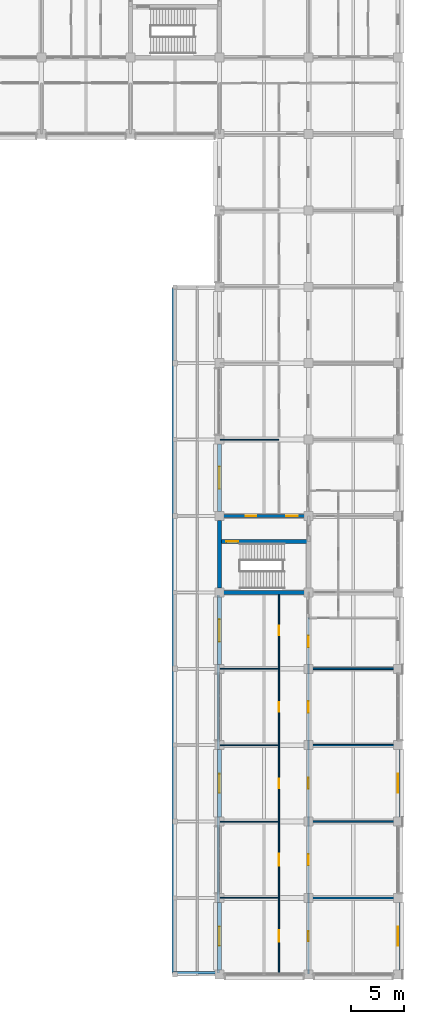
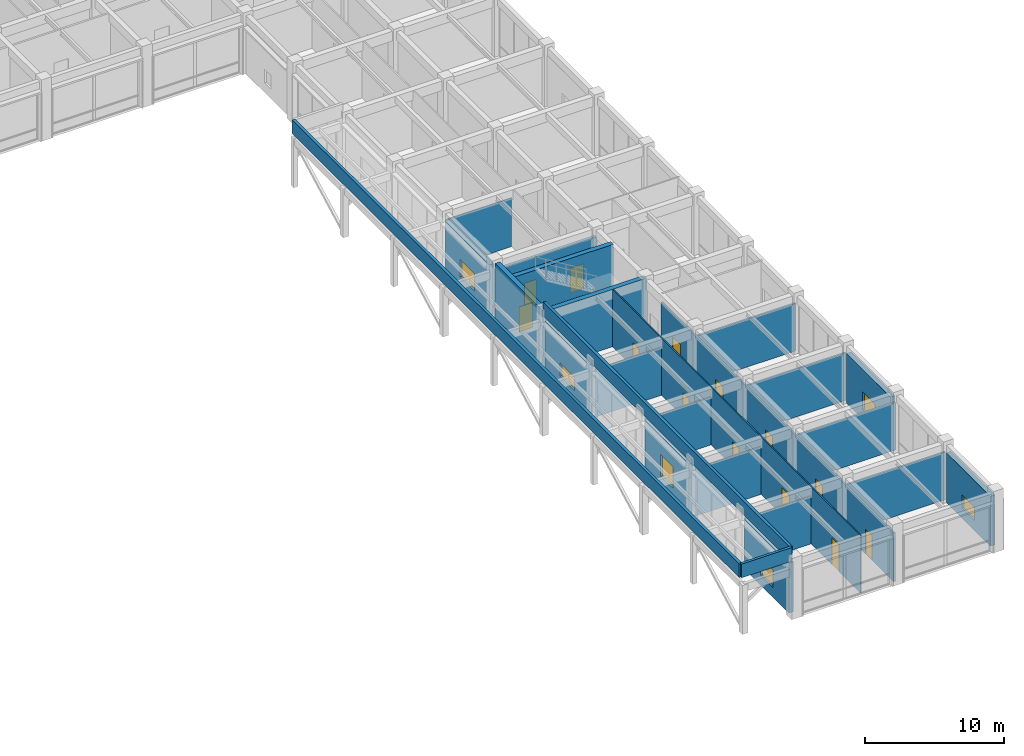
# One storey, part 54 of 68: 24 walls, 13 doors, 6 windows, 19 openings.
"""IFC4 building model written with IfcOpenShell, lengths in metres."""

import ifcopenshell
import ifcopenshell.guid

model = None  # the IFC model being written
_history = None  # IfcOwnerHistory: only IFC2X3 demands one
_inside = {}  # id of a spatial element -> (the spatial element, [elements in it])
_under = {}  # id of a project, library or spatial element -> (it, [spatial elements below it])
_declared = {}  # id of a project -> (the project, [libraries it declares])
_typed = {}  # id of a type object -> (the type object, [elements of that type])
_made_of = {}  # id of a material, layer set ... -> (it, [elements and type objects made of it])


def new_model(schema):
    """Start an empty IFC model of exactly this schema.

    Asked for "IFC4X3", IfcOpenShell would pick the latest addendum, in which some entities
    have other attributes; the version numbers below select the first issue.
    IFC2X3 requires an IfcOwnerHistory on every rooted entity: one is made here for all.
    """
    global model, _history
    if schema == "IFC4X3":
        model = ifcopenshell.file(schema_version=(4, 3, 0, 0))
    else:
        model = ifcopenshell.file(schema=schema)
    _inside.clear()
    _under.clear()
    _declared.clear()
    _typed.clear()
    _made_of.clear()
    _history = None
    if model.schema == "IFC2X3":
        org = make("IfcOrganization", Name="unknown")
        user = make(
            "IfcPersonAndOrganization",
            ThePerson=make("IfcPerson", FamilyName="unknown"),
            TheOrganization=org,
        )
        app = make(
            "IfcApplication",
            ApplicationDeveloper=org,
            Version="unknown",
            ApplicationFullName="unknown",
            ApplicationIdentifier="unknown",
        )
        _history = make(
            "IfcOwnerHistory",
            OwningUser=user,
            OwningApplication=app,
            ChangeAction="ADDED",
            CreationDate=0,
        )
    return model


def make(cls, **values):
    """One entity of the class cls with the attributes given. An attribute that is None is left unset."""
    return model.create_entity(
        cls, **{name: value for name, value in values.items() if value is not None}
    )


def rooted(cls, **values):
    """An entity with a GlobalId (a new one), such as an element, a storey or a relation."""
    return make(cls, GlobalId=ifcopenshell.guid.new(), OwnerHistory=_history, **values)


def si_unit(unit_type, name, prefix=None):
    """IfcSIUnit, for example si_unit("LENGTHUNIT", "METRE", prefix="MILLI")."""
    return make("IfcSIUnit", UnitType=unit_type, Prefix=prefix, Name=name)


def assignment(units):
    """IfcUnitAssignment: the units of a project."""
    return None if units is None else make("IfcUnitAssignment", Units=units)


def point(xyz):
    """IfcCartesianPoint."""
    return None if xyz is None else make("IfcCartesianPoint", Coordinates=xyz)


def direction(xyz):
    """IfcDirection."""
    return None if xyz is None else make("IfcDirection", DirectionRatios=xyz)


def frame(location, z_axis=None, x_axis=None):
    """IfcAxis2Placement3D, a coordinate frame: its origin and axes. An axis left out is left unset."""
    return make(
        "IfcAxis2Placement3D",
        Location=point(location),
        Axis=direction(z_axis),
        RefDirection=direction(x_axis),
    )


def frame_2d(location, x_axis=None):
    """IfcAxis2Placement2D, a coordinate frame in the plane: its origin and x axis."""
    return make(
        "IfcAxis2Placement2D", Location=point(location), RefDirection=direction(x_axis)
    )


def origin():
    """The frame at (0, 0, 0) with its axes left unset."""
    return frame((0.0, 0.0, 0.0))


def place(relative_to, where):
    """IfcLocalPlacement: puts the frame where relative to a parent placement (None: the world)."""
    return make(
        "IfcLocalPlacement", PlacementRelTo=relative_to, RelativePlacement=where
    )


def context(
    kind, dimensions, precision=None, world=None, true_north=None, identifier=None
):
    """IfcGeometricRepresentationContext, for example the 3D "Model" context."""
    return make(
        "IfcGeometricRepresentationContext",
        ContextIdentifier=identifier,
        ContextType=kind,
        CoordinateSpaceDimension=dimensions,
        Precision=precision,
        WorldCoordinateSystem=world,
        TrueNorth=true_north,
    )


def subcontext(parent, identifier, kind, view, scale=None):
    """IfcGeometricRepresentationSubContext, for example "Body" below "Model"."""
    return make(
        "IfcGeometricRepresentationSubContext",
        ContextIdentifier=identifier,
        ContextType=kind,
        ParentContext=parent,
        TargetScale=scale,
        TargetView=view,
    )


def project(units=None, contexts=None):
    """IfcProject with its units and contexts."""
    return rooted(
        "IfcProject",
        Name="project",
        RepresentationContexts=contexts,
        UnitsInContext=assignment(units),
    )


def spatial(cls, under=None, at=None, **own):
    """A site, building, storey or space (cls), placed at a placement, below another one or the project."""
    s = rooted(cls, ObjectPlacement=at, **own)
    if under is not None:
        _under.setdefault(under.id(), (under, []))[1].append(s)
    return s


def profile(cls, at=None, kind="AREA", **sizes):
    """A parametric profile (cls). Its sizes go by their IFC names, for example OverallWidth=200.0."""
    return make(cls, ProfileType=kind, Position=at, **sizes)


def rectangle(**sizes):
    """IfcRectangleProfileDef."""
    return profile("IfcRectangleProfileDef", **sizes)


def extrude(swept, where, along, depth):
    """IfcExtrudedAreaSolid: the profile swept, set in the frame where, extruded along a direction by depth."""
    return make(
        "IfcExtrudedAreaSolid",
        SweptArea=swept,
        Position=where,
        ExtrudedDirection=direction(along),
        Depth=depth,
    )


def shape(context_of_items, identifier, shape_type, items):
    """IfcShapeRepresentation: the items that make up one representation, for example the "Body"."""
    return make(
        "IfcShapeRepresentation",
        ContextOfItems=context_of_items,
        RepresentationIdentifier=identifier,
        RepresentationType=shape_type,
        Items=items,
    )


def material(Name=None, Category=None):
    """IfcMaterial."""
    return make("IfcMaterial", Name=Name, Category=Category)


def layer(
    of_material, thickness, ventilated=None, Name=None, Category=None, Priority=None
):
    """IfcMaterialLayer: one layer of a wall or slab, of a material (None: an air gap)."""
    return make(
        "IfcMaterialLayer",
        Material=of_material,
        LayerThickness=thickness,
        IsVentilated=ventilated,
        Name=Name,
        Category=Category,
        Priority=Priority,
    )


def layer_set(layers, Name=None):
    """IfcMaterialLayerSet."""
    return make("IfcMaterialLayerSet", MaterialLayers=layers, LayerSetName=Name)


def made_of(thing, what):
    """Note that an element or type object is made of a material, layer set ...; save() writes the relation."""
    if what is not None:
        _made_of.setdefault(what.id(), (what, []))[1].append(thing)
    return thing


def type_object(cls, material=None, **own):
    """A type object (cls), such as IfcWallType, which elements share."""
    return made_of(rooted(cls, **own), material)


def element(
    cls,
    number,
    at=None,
    inside=None,
    cuts=None,
    type_object=None,
    material=None,
    context=None,
    identifier="Body",
    shape_type=None,
    held_by="IfcProductDefinitionShape",
    body=None,
    shapes=None,
    **own,
):
    """One element of the class cls, such as IfcWall. Its Tag is "e" and its number.

    at: its placement. inside: the storey or other place that contains it. cuts: it is an
    opening in that element (IfcRelVoidsElement). A single representation is given by context,
    identifier, shape_type and body (its items); several are given by shapes. held_by: the class
    of the entity that holds the representations. save() writes the other relations.
    """
    e = rooted(cls, Tag="e%d" % number, ObjectPlacement=at, **own)
    if body is not None:
        shapes = [shape(context, identifier, shape_type, body)]
    if shapes is not None:
        e.Representation = make(held_by, Representations=shapes)
    if inside is not None:
        _inside.setdefault(inside.id(), (inside, []))[1].append(e)
    if cuts is not None:
        rooted(
            "IfcRelVoidsElement", RelatingBuildingElement=cuts, RelatedOpeningElement=e
        )
    if type_object is not None:
        _typed.setdefault(type_object.id(), (type_object, []))[1].append(e)
    return made_of(e, material)


def fill(opening, filler):
    """IfcRelFillsElement: the door or window that sits in an opening."""
    return rooted(
        "IfcRelFillsElement",
        RelatingOpeningElement=opening,
        RelatedBuildingElement=filler,
    )


def aggregate(whole, parts):
    """IfcRelAggregates: a whole, such as a stair, and the parts it consists of."""
    return rooted("IfcRelAggregates", RelatingObject=whole, RelatedObjects=parts)


def save(model, path):
    """Write the relations noted so far, then the file.

    IfcRelAggregates (storeys below a building ...), IfcRelContainedInSpatialStructure (elements
    in a storey), IfcRelDefinesByType, IfcRelAssociatesMaterial and IfcRelDeclares: one each for
    every whole, place, type object, material and project.
    """
    for whole, parts in _under.values():
        aggregate(whole, parts)
    for where, things in _inside.values():
        rooted(
            "IfcRelContainedInSpatialStructure",
            RelatedElements=things,
            RelatingStructure=where,
        )
    for kind, things in _typed.values():
        rooted("IfcRelDefinesByType", RelatedObjects=things, RelatingType=kind)
    for what, things in _made_of.values():
        rooted("IfcRelAssociatesMaterial", RelatedObjects=things, RelatingMaterial=what)
    for by, libraries in _declared.values():
        rooted("IfcRelDeclares", RelatingContext=by, RelatedDefinitions=libraries)
    model.write(path)


model = new_model("IFC4")

# Units and contexts
model_context = context("Model", 3, precision=1e-05, world=origin(), true_north=direction((0.0, 1.0)))
body_context = subcontext(model_context, "Body", "Model", "MODEL_VIEW")
ifc_project = project(units=[si_unit("LENGTHUNIT", "METRE"), si_unit("AREAUNIT", "SQUARE_METRE"), si_unit("VOLUMEUNIT", "CUBIC_METRE"), si_unit("PLANEANGLEUNIT", "RADIAN"), si_unit("MASSUNIT", "GRAM", prefix="KILO")], contexts=[model_context])

# Site, building, storey
site_placement = place(None, origin())
site = spatial("IfcSite", under=ifc_project, at=site_placement, CompositionType="ELEMENT")
building_placement = place(site_placement, origin())
building = spatial("IfcBuilding", under=site, at=building_placement, Name="Chengyuan Square Courthouse", CompositionType="ELEMENT")
storey_placement = place(building_placement, frame((0.0, 0.0, 5.39990234375)))
storey = spatial("IfcBuildingStorey", under=building, at=storey_placement, Name="L02", CompositionType="ELEMENT", Elevation=5.39990234375)

# Wall, opening, window
ifc_material_1 = material(Name="Concrete C40", Category="concrete")
ifc_layer_1 = layer(ifc_material_1, 0.3798828125)
ifc_layer_set_1 = layer_set([ifc_layer_1], Name="Concrete C40")
wall_type_1 = type_object("IfcWallType", Name="WL-EW1", PredefinedType="STANDARD", material=ifc_layer_set_1)
wall_1_placement = place(storey_placement, frame((151.199951171875, 0.419921875, 0.0), z_axis=(0.0, 0.0, 1.0), x_axis=(0.0, 1.0, 0.0)))
wall_1 = element("IfcWall", 1, at=wall_1_placement, inside=storey, type_object=wall_type_1, Name="Exterior Wall WL-L02-E239", PredefinedType="STANDARD", context=body_context, shape_type="SweptSolid", body=[
    extrude(rectangle(XDim=6.360107421875, YDim=0.3798828125, at=frame_2d((3.18017578125, 0.0))), origin(), (0.0, 0.0, 1.0), 4.400146484375),
])
opening_1_placement = place(wall_1_placement, frame((2.280029296875, 0.0, 0.85009765625)))
opening_1 = element("IfcOpeningElement", 2, at=opening_1_placement, cuts=wall_1, Name="Opening WN-042", PredefinedType="OPENING", context=body_context, shape_type="SweptSolid", body=[
    extrude(rectangle(XDim=1.800048828125, YDim=1.56005859375, at=frame_2d((0.89990234375, 0.780029296875))), frame((0.0, 0.201904296875, 0.0), z_axis=(0.0, -1.0, 0.0), x_axis=(1.0, 0.0, 0.0)), (0.0, 0.0, 1.0), 0.40380859375),
])
ifc_material_2 = material(Name="Thermally Broken Aluminium Triple Low-E Window", Category="aluminium")
window_type_1 = type_object("IfcWindowType", Name="WT-33", PartitioningType="SINGLE_PANEL", PredefinedType="WINDOW", material=ifc_material_2)
window_1_placement = place(opening_1_placement, origin())
window_1 = element("IfcWindow", 3, at=window_1_placement, inside=storey, type_object=window_type_1, Name="Facade Window WN-042", OverallHeight=1.56005859375, OverallWidth=1.800048828125, PartitioningType="SINGLE_PANEL", PredefinedType="WINDOW", context=body_context, shape_type="SweptSolid", body=[
    extrude(rectangle(XDim=1.800048828125, YDim=1.56005859375, at=frame_2d((0.89990234375, 0.780029296875))), frame((0.0, 0.030029296875, 0.0), z_axis=(0.0, -1.0, 0.0), x_axis=(1.0, 0.0, 0.0)), (0.0, 0.0, 1.0), 0.06005859375),
])
fill(opening_1, window_1)

wall_2_placement = place(storey_placement, frame((151.199951171875, 14.820068359375, 0.0), z_axis=(0.0, 0.0, 1.0), x_axis=(0.0, 1.0, 0.0)))
wall_2 = element("IfcWall", 4, at=wall_2_placement, inside=storey, type_object=wall_type_1, Name="Exterior Wall WL-L02-E240", PredefinedType="STANDARD", context=body_context, shape_type="SweptSolid", body=[
    extrude(rectangle(XDim=6.35986328125, YDim=0.3798828125, at=frame_2d((3.179931640625, 0.0))), origin(), (0.0, 0.0, 1.0), 4.400146484375),
])
opening_2_placement = place(wall_2_placement, frame((2.280029296875, 0.0, 0.85009765625)))
opening_2 = element("IfcOpeningElement", 5, at=opening_2_placement, cuts=wall_2, Name="Opening WN-043", PredefinedType="OPENING", context=body_context, shape_type="SweptSolid", body=[
    extrude(rectangle(XDim=1.800048828125, YDim=1.919921875, at=frame_2d((0.89990234375, 0.9599609375))), frame((0.0, 0.201904296875, 0.0), z_axis=(0.0, -1.0, 0.0), x_axis=(1.0, 0.0, 0.0)), (0.0, 0.0, 1.0), 0.40380859375),
])
window_type_2 = type_object("IfcWindowType", Name="WT-35", PartitioningType="SINGLE_PANEL", PredefinedType="WINDOW", material=ifc_material_2)
window_2_placement = place(opening_2_placement, origin())
window_2 = element("IfcWindow", 6, at=window_2_placement, inside=storey, type_object=window_type_2, Name="Facade Window WN-043", OverallHeight=1.919921875, OverallWidth=1.800048828125, PartitioningType="SINGLE_PANEL", PredefinedType="WINDOW", context=body_context, shape_type="SweptSolid", body=[
    extrude(rectangle(XDim=1.800048828125, YDim=1.919921875, at=frame_2d((0.89990234375, 0.9599609375))), frame((0.0, 0.030029296875, 0.0), z_axis=(0.0, -1.0, 0.0), x_axis=(1.0, 0.0, 0.0)), (0.0, 0.0, 1.0), 0.06005859375),
])
fill(opening_2, window_2)

wall_3_placement = place(storey_placement, frame((151.199951171875, 29.219970703125, 0.0), z_axis=(0.0, 0.0, 1.0), x_axis=(0.0, 1.0, 0.0)))
wall_3 = element("IfcWall", 7, at=wall_3_placement, inside=storey, type_object=wall_type_1, Name="Exterior Wall WL-L02-E241", PredefinedType="STANDARD", context=body_context, shape_type="SweptSolid", body=[
    extrude(rectangle(XDim=6.360107421875, YDim=0.3798828125, at=frame_2d((3.18017578125, 0.0))), origin(), (0.0, 0.0, 1.0), 4.400146484375),
])
opening_3_placement = place(wall_3_placement, frame((2.1298828125, 0.0, 0.85009765625)))
opening_3 = element("IfcOpeningElement", 8, at=opening_3_placement, cuts=wall_3, Name="Opening WN-044", PredefinedType="OPENING", context=body_context, shape_type="SweptSolid", body=[
    extrude(rectangle(XDim=2.10009765625, YDim=1.199951171875, at=frame_2d((1.050048828125, 0.60009765625))), frame((0.0, 0.201904296875, 0.0), z_axis=(0.0, -1.0, 0.0), x_axis=(1.0, 0.0, 0.0)), (0.0, 0.0, 1.0), 0.40380859375),
])
window_type_3 = type_object("IfcWindowType", Name="WT-37", PartitioningType="SINGLE_PANEL", PredefinedType="WINDOW", material=ifc_material_2)
window_3_placement = place(opening_3_placement, origin())
window_3 = element("IfcWindow", 9, at=window_3_placement, inside=storey, type_object=window_type_3, Name="Facade Window WN-044", OverallHeight=1.199951171875, OverallWidth=2.10009765625, PartitioningType="SINGLE_PANEL", PredefinedType="WINDOW", context=body_context, shape_type="SweptSolid", body=[
    extrude(rectangle(XDim=2.10009765625, YDim=1.199951171875, at=frame_2d((1.050048828125, 0.60009765625))), frame((0.0, 0.030029296875, 0.0), z_axis=(0.0, -1.0, 0.0), x_axis=(1.0, 0.0, 0.0)), (0.0, 0.0, 1.0), 0.06005859375),
])
fill(opening_3, window_3)

wall_4_placement = place(storey_placement, frame((151.199951171875, 43.6201171875, 0.0), z_axis=(0.0, 0.0, 1.0), x_axis=(0.0, 1.0, 0.0)))
wall_4 = element("IfcWall", 10, at=wall_4_placement, inside=storey, type_object=wall_type_1, Name="Exterior Wall WL-L02-E243", PredefinedType="STANDARD", context=body_context, shape_type="SweptSolid", body=[
    extrude(rectangle(XDim=6.35986328125, YDim=0.3798828125, at=frame_2d((3.179931640625, 0.0))), origin(), (0.0, 0.0, 1.0), 4.47021484375),
])
opening_4_placement = place(wall_4_placement, frame((2.1298828125, 0.0, 0.85009765625)))
opening_4 = element("IfcOpeningElement", 11, at=opening_4_placement, cuts=wall_4, Name="Opening WN-045", PredefinedType="OPENING", context=body_context, shape_type="SweptSolid", body=[
    extrude(rectangle(XDim=2.10009765625, YDim=1.56005859375, at=frame_2d((1.050048828125, 0.780029296875))), frame((0.0, 0.201904296875, 0.0), z_axis=(0.0, -1.0, 0.0), x_axis=(1.0, 0.0, 0.0)), (0.0, 0.0, 1.0), 0.40380859375),
])
window_type_4 = type_object("IfcWindowType", Name="WT-39", PartitioningType="SINGLE_PANEL", PredefinedType="WINDOW", material=ifc_material_2)
window_4_placement = place(opening_4_placement, origin())
window_4 = element("IfcWindow", 12, at=window_4_placement, inside=storey, type_object=window_type_4, Name="Facade Window WN-045", OverallHeight=1.56005859375, OverallWidth=2.10009765625, PartitioningType="SINGLE_PANEL", PredefinedType="WINDOW", context=body_context, shape_type="SweptSolid", body=[
    extrude(rectangle(XDim=2.10009765625, YDim=1.56005859375, at=frame_2d((1.050048828125, 0.780029296875))), frame((0.0, 0.030029296875, 0.0), z_axis=(0.0, -1.0, 0.0), x_axis=(1.0, 0.0, 0.0)), (0.0, 0.0, 1.0), 0.06005859375),
])
fill(opening_4, window_4)

wall_5_placement = place(storey_placement, frame((168.0, 0.419921875, 0.0), z_axis=(0.0, 0.0, 1.0), x_axis=(0.0, 1.0, 0.0)))
wall_5 = element("IfcWall", 13, at=wall_5_placement, inside=storey, type_object=wall_type_1, Name="Exterior Wall WL-L02-E247", PredefinedType="STANDARD", context=body_context, shape_type="SweptSolid", body=[
    extrude(rectangle(XDim=6.360107421875, YDim=0.3798828125, at=frame_2d((3.18017578125, 0.0))), origin(), (0.0, 0.0, 1.0), 4.400146484375),
])
opening_5_placement = place(wall_5_placement, frame((2.280029296875, 0.0, 0.85009765625)))
opening_5 = element("IfcOpeningElement", 14, at=opening_5_placement, cuts=wall_5, Name="Opening WN-049", PredefinedType="OPENING", context=body_context, shape_type="SweptSolid", body=[
    extrude(rectangle(XDim=1.800048828125, YDim=1.199951171875, at=frame_2d((0.89990234375, 0.60009765625))), frame((0.0, 0.201904296875, 0.0), z_axis=(0.0, -1.0, 0.0), x_axis=(1.0, 0.0, 0.0)), (0.0, 0.0, 1.0), 0.40380859375),
])
window_type_5 = type_object("IfcWindowType", Name="WT-31", PartitioningType="SINGLE_PANEL", PredefinedType="WINDOW", material=ifc_material_2)
window_5_placement = place(opening_5_placement, origin())
window_5 = element("IfcWindow", 15, at=window_5_placement, inside=storey, type_object=window_type_5, Name="Facade Window WN-049", OverallHeight=1.199951171875, OverallWidth=1.800048828125, PartitioningType="SINGLE_PANEL", PredefinedType="WINDOW", context=body_context, shape_type="SweptSolid", body=[
    extrude(rectangle(XDim=1.800048828125, YDim=1.199951171875, at=frame_2d((0.89990234375, 0.60009765625))), frame((0.0, 0.030029296875, 0.0), z_axis=(0.0, -1.0, 0.0), x_axis=(1.0, 0.0, 0.0)), (0.0, 0.0, 1.0), 0.06005859375),
])
fill(opening_5, window_5)

wall_6_placement = place(storey_placement, frame((168.0, 14.820068359375, 0.0), z_axis=(0.0, 0.0, 1.0), x_axis=(0.0, 1.0, 0.0)))
wall_6 = element("IfcWall", 16, at=wall_6_placement, inside=storey, type_object=wall_type_1, Name="Exterior Wall WL-L02-E248", PredefinedType="STANDARD", context=body_context, shape_type="SweptSolid", body=[
    extrude(rectangle(XDim=6.35986328125, YDim=0.3798828125, at=frame_2d((3.179931640625, 0.0))), origin(), (0.0, 0.0, 1.0), 4.400146484375),
])
opening_6_placement = place(wall_6_placement, frame((2.280029296875, 0.0, 0.85009765625)))
opening_6 = element("IfcOpeningElement", 17, at=opening_6_placement, cuts=wall_6, Name="Opening WN-050", PredefinedType="OPENING", context=body_context, shape_type="SweptSolid", body=[
    extrude(rectangle(XDim=1.800048828125, YDim=1.56005859375, at=frame_2d((0.89990234375, 0.780029296875))), frame((0.0, 0.201904296875, 0.0), z_axis=(0.0, -1.0, 0.0), x_axis=(1.0, 0.0, 0.0)), (0.0, 0.0, 1.0), 0.40380859375),
])
window_6_placement = place(opening_6_placement, origin())
window_6 = element("IfcWindow", 18, at=window_6_placement, inside=storey, type_object=window_type_1, Name="Facade Window WN-050", OverallHeight=1.56005859375, OverallWidth=1.800048828125, PartitioningType="SINGLE_PANEL", PredefinedType="WINDOW", context=body_context, shape_type="SweptSolid", body=[
    extrude(rectangle(XDim=1.800048828125, YDim=1.56005859375, at=frame_2d((0.89990234375, 0.780029296875))), frame((0.0, 0.030029296875, 0.0), z_axis=(0.0, -1.0, 0.0), x_axis=(1.0, 0.0, 0.0)), (0.0, 0.0, 1.0), 0.06005859375),
])
fill(opening_6, window_6)

# Wall, openings, doors
ifc_layer_2 = layer(ifc_material_1, 0.25)
ifc_layer_set_2 = layer_set([ifc_layer_2], Name="Concrete C40")
wall_type_2 = type_object("IfcWallType", Name="WL-FW1", PredefinedType="STANDARD", material=ifc_layer_set_2)
wall_7_placement = place(storey_placement, frame((151.239990234375, 43.199951171875, 0.0), z_axis=(0.0, 0.0, 1.0), x_axis=(1.0, 0.0, 0.0)))
wall_7 = element("IfcWall", 19, at=wall_7_placement, inside=storey, type_object=wall_type_2, Name="Interior Wall WL-L02-I1038", PredefinedType="STANDARD", context=body_context, shape_type="SweptSolid", body=[
    extrude(rectangle(XDim=8.360107421875, YDim=0.25, at=frame_2d((4.18017578125, 0.0))), origin(), (0.0, 0.0, 1.0), 4.27001953125),
])
opening_7_placement = place(wall_7_placement, frame((6.237548828125, 0.0, 0.0)))
opening_7 = element("IfcOpeningElement", 20, at=opening_7_placement, cuts=wall_7, Name="Opening DR-1030", PredefinedType="OPENING", context=body_context, shape_type="SweptSolid", body=[
    extrude(rectangle(XDim=1.10009765625, YDim=2.199951171875, at=frame_2d((0.550048828125, 1.10009765625))), frame((0.0, 0.136962890625, 0.0), z_axis=(0.0, -1.0, 0.0), x_axis=(1.0, 0.0, 0.0)), (0.0, 0.0, 1.0), 0.27392578125),
])
opening_8_placement = place(wall_7_placement, frame((2.4326171875, 0.0, 0.0)))
opening_8 = element("IfcOpeningElement", 21, at=opening_8_placement, cuts=wall_7, Name="Opening DR-1031", PredefinedType="OPENING", context=body_context, shape_type="SweptSolid", body=[
    extrude(rectangle(XDim=1.0, YDim=2.199951171875, at=frame_2d((0.5, 1.10009765625))), frame((0.0, 0.136962890625, 0.0), z_axis=(0.0, -1.0, 0.0), x_axis=(1.0, 0.0, 0.0)), (0.0, 0.0, 1.0), 0.27392578125),
])
ifc_material_3 = material(Name="Steel Q235B Fire Door", Category="steel")
door_type_1 = type_object("IfcDoorType", Name="DT-10", OperationType="NOTDEFINED", PredefinedType="DOOR", material=ifc_material_3)
door_1_placement = place(opening_7_placement, origin())
door_1 = element("IfcDoor", 22, at=door_1_placement, inside=storey, type_object=door_type_1, Name="Interior Door DR-1030", OperationType="SINGLE_SWING_RIGHT", OverallHeight=2.199951171875, OverallWidth=1.10009765625, PredefinedType="DOOR", context=body_context, shape_type="SweptSolid", body=[
    extrude(rectangle(XDim=1.10009765625, YDim=2.199951171875, at=frame_2d((0.550048828125, 1.10009765625))), frame((0.0, 0.02490234375, 0.0), z_axis=(0.0, -1.0, 0.0), x_axis=(1.0, 0.0, 0.0)), (0.0, 0.0, 1.0), 0.050048828125),
])
fill(opening_7, door_1)
door_type_2 = type_object("IfcDoorType", Name="DT-11", OperationType="NOTDEFINED", PredefinedType="DOOR", material=ifc_material_3)
door_2_placement = place(opening_8_placement, origin())
door_2 = element("IfcDoor", 23, at=door_2_placement, inside=storey, type_object=door_type_2, Name="Interior Door DR-1031", OperationType="SINGLE_SWING_LEFT", OverallHeight=2.199951171875, OverallWidth=1.0, PredefinedType="DOOR", context=body_context, shape_type="SweptSolid", body=[
    extrude(rectangle(XDim=1.0, YDim=2.199951171875, at=frame_2d((0.5, 1.10009765625))), frame((0.0, 0.02490234375, 0.0), z_axis=(0.0, -1.0, 0.0), x_axis=(1.0, 0.0, 0.0)), (0.0, 0.0, 1.0), 0.050048828125),
])
fill(opening_8, door_2)

# Walls
ifc_layer_3 = layer(ifc_material_1, 0.219970703125)
ifc_layer_set_3 = layer_set([ifc_layer_3], Name="Concrete C40")
wall_type_3 = type_object("IfcWallType", Name="WL-PR1", PredefinedType="PARAPET", material=ifc_layer_set_3)
wall_8_placement = place(storey_placement, frame((146.840087890625, 0.139892578125, 4.800048828125), z_axis=(0.0, 0.0, 1.0), x_axis=(1.0, 0.0, 0.0)))
element("IfcWall", 24, at=wall_8_placement, inside=storey, type_object=wall_type_3, Name="Roof Parapet Wall PAR-L02-005", PredefinedType="PARAPET", context=body_context, shape_type="SweptSolid", body=[
    extrude(rectangle(XDim=4.219970703125, YDim=0.219970703125, at=frame_2d((2.10986328125, 0.0))), origin(), (0.0, 0.0, 1.0), 1.199951171875),
])
ifc_layer_4 = layer(ifc_material_1, 0.239990234375)
ifc_layer_set_4 = layer_set([ifc_layer_4], Name="Concrete C40")
wall_type_4 = type_object("IfcWallType", Name="WL-PR2", PredefinedType="PARAPET", material=ifc_layer_set_4)
wall_9_placement = place(storey_placement, frame((151.06005859375, 0.139892578125, 4.800048828125), z_axis=(0.0, 0.0, 1.0), x_axis=(0.0, 1.0, 0.0)))
element("IfcWall", 25, at=wall_9_placement, inside=storey, type_object=wall_type_4, Name="Roof Parapet Wall PAR-L02-006", PredefinedType="PARAPET", context=body_context, shape_type="SweptSolid", body=[
    extrude(rectangle(XDim=35.594970703125, YDim=0.239990234375, at=frame_2d((17.79736328125, 0.0))), origin(), (0.0, 0.0, 1.0), 1.199951171875),
])
wall_10_placement = place(storey_placement, frame((146.840087890625, 64.659912109375, 4.800048828125), z_axis=(0.0, 0.0, 1.0), x_axis=(0.0, -1.0, 0.0)))
element("IfcWall", 26, at=wall_10_placement, inside=storey, type_object=wall_type_4, Name="Roof Parapet Wall PAR-L02-008", PredefinedType="PARAPET", context=body_context, shape_type="SweptSolid", body=[
    extrude(rectangle(XDim=64.52001953125, YDim=0.239990234375, at=frame_2d((32.260009765625, 0.0))), origin(), (0.0, 0.0, 1.0), 1.199951171875),
])
ifc_material_4 = material(Name="Deliberation Room Sound-Insulated Partition")
ifc_layer_5 = layer(ifc_material_4, 0.14990234375)
ifc_layer_set_5 = layer_set([ifc_layer_5], Name="Deliberation Room Sound-Insulated Partition")
wall_type_5 = type_object("IfcWallType", Name="WL-PT3", PredefinedType="STANDARD", material=ifc_layer_set_5)
for number, where, z_axis, x_axis, name in (
    (27, (159.60009765625, 7.199951171875, 0.0), (0.0, 0.0, 1.0), (1.0, 0.0, 0.0), "Interior Wall WL-L02-I1015"),
    (28, (159.60009765625, 14.39990234375, 0.0), (0.0, 0.0, 1.0), (1.0, 0.0, 0.0), "Interior Wall WL-L02-I1019"),
    (29, (159.60009765625, 21.60009765625, 0.0), (0.0, 0.0, 1.0), (1.0, 0.0, 0.0), "Interior Wall WL-L02-I1023"),
    (30, (159.60009765625, 28.800048828125, 0.0), (0.0, 0.0, 1.0), (1.0, 0.0, 0.0), "Interior Wall WL-L02-I1027"),
):
    element("IfcWall", number, at=place(storey_placement, frame(where, z_axis=z_axis, x_axis=x_axis)), inside=storey, type_object=wall_type_5, Name=name, PredefinedType="STANDARD", context=body_context, shape_type="SweptSolid", body=[
        extrude(rectangle(XDim=8.35986328125, YDim=0.14990234375, at=frame_2d((4.179931640625, 0.0))), origin(), (0.0, 0.0, 1.0), 4.2001953125),
    ])

# Wall, openings, doors
wall_11_placement = place(storey_placement, frame((159.60009765625, 0.0400390625, 0.0), z_axis=(0.0, 0.0, 1.0), x_axis=(0.0, 1.0, 0.0)))
wall_11 = element("IfcWall", 31, at=wall_11_placement, inside=storey, type_object=wall_type_5, Name="Interior Wall WL-L02-I1374", PredefinedType="STANDARD", context=body_context, shape_type="SweptSolid", body=[
    extrude(rectangle(XDim=33.56005859375, YDim=0.14990234375, at=frame_2d((16.780029296875, 0.0))), origin(), (0.0, 0.0, 1.0), 4.300048828125),
])
opening_9_placement = place(wall_11_placement, frame((3.080078125, 0.0, 0.0)))
opening_9 = element("IfcOpeningElement", 32, at=opening_9_placement, cuts=wall_11, Name="Opening DR-1293", PredefinedType="OPENING", context=body_context, shape_type="SweptSolid", body=[
    extrude(rectangle(XDim=0.9599609375, YDim=2.199951171875, at=frame_2d((0.47998046875, 1.10009765625))), frame((0.0, 0.0869140625, 0.0), z_axis=(0.0, -1.0, 0.0), x_axis=(1.0, 0.0, 0.0)), (0.0, 0.0, 1.0), 0.173828125),
])
opening_10_placement = place(wall_11_placement, frame((10.260009765625, 0.0, 0.0)))
opening_10 = element("IfcOpeningElement", 33, at=opening_10_placement, cuts=wall_11, Name="Opening DR-1294", PredefinedType="OPENING", context=body_context, shape_type="SweptSolid", body=[
    extrude(rectangle(XDim=1.0, YDim=2.25, at=frame_2d((0.5, 1.125))), frame((0.0, 0.0869140625, 0.0), z_axis=(0.0, -1.0, 0.0), x_axis=(1.0, 0.0, 0.0)), (0.0, 0.0, 1.0), 0.173828125),
])
opening_11_placement = place(wall_11_placement, frame((17.43994140625, 0.0, 0.0)))
opening_11 = element("IfcOpeningElement", 34, at=opening_11_placement, cuts=wall_11, Name="Opening DR-1295", PredefinedType="OPENING", context=body_context, shape_type="SweptSolid", body=[
    extrude(rectangle(XDim=1.0400390625, YDim=2.199951171875, at=frame_2d((0.52001953125, 1.10009765625))), frame((0.0, 0.0869140625, 0.0), z_axis=(0.0, -1.0, 0.0), x_axis=(1.0, 0.0, 0.0)), (0.0, 0.0, 1.0), 0.173828125),
])
opening_12_placement = place(wall_11_placement, frame((24.6201171875, 0.0, 0.0)))
opening_12 = element("IfcOpeningElement", 35, at=opening_12_placement, cuts=wall_11, Name="Opening DR-1296", PredefinedType="OPENING", context=body_context, shape_type="SweptSolid", body=[
    extrude(rectangle(XDim=1.080078125, YDim=2.25, at=frame_2d((0.5400390625, 1.125))), frame((0.0, 0.0869140625, 0.0), z_axis=(0.0, -1.0, 0.0), x_axis=(1.0, 0.0, 0.0)), (0.0, 0.0, 1.0), 0.173828125),
])
opening_13_placement = place(wall_11_placement, frame((30.7724609375, 0.0, 0.0)))
opening_13 = element("IfcOpeningElement", 36, at=opening_13_placement, cuts=wall_11, Name="Opening DR-1297", PredefinedType="OPENING", context=body_context, shape_type="SweptSolid", body=[
    extrude(rectangle(XDim=1.1201171875, YDim=2.25, at=frame_2d((0.56005859375, 1.125))), frame((0.0, 0.0869140625, 0.0), z_axis=(0.0, -1.0, 0.0), x_axis=(1.0, 0.0, 0.0)), (0.0, 0.0, 1.0), 0.173828125),
])
ifc_material_5 = material(Name="Acoustic Solid-Core Timber Door", Category="wood")
door_type_3 = type_object("IfcDoorType", Name="DT-30", OperationType="NOTDEFINED", PredefinedType="DOOR", material=ifc_material_5)
door_3_placement = place(opening_9_placement, origin())
door_3 = element("IfcDoor", 37, at=door_3_placement, inside=storey, type_object=door_type_3, Name="Interior Door DR-1293", OperationType="SINGLE_SWING_RIGHT", OverallHeight=2.199951171875, OverallWidth=0.9599609375, PredefinedType="DOOR", context=body_context, shape_type="SweptSolid", body=[
    extrude(rectangle(XDim=0.9599609375, YDim=2.199951171875, at=frame_2d((0.47998046875, 1.10009765625))), frame((0.0, 0.02490234375, 0.0), z_axis=(0.0, -1.0, 0.0), x_axis=(1.0, 0.0, 0.0)), (0.0, 0.0, 1.0), 0.050048828125),
])
fill(opening_9, door_3)
door_type_4 = type_object("IfcDoorType", Name="DT-31", OperationType="NOTDEFINED", PredefinedType="DOOR", material=ifc_material_5)
door_4_placement = place(opening_10_placement, origin())
door_4 = element("IfcDoor", 38, at=door_4_placement, inside=storey, type_object=door_type_4, Name="Interior Door DR-1294", OperationType="SINGLE_SWING_LEFT", OverallHeight=2.25, OverallWidth=1.0, PredefinedType="DOOR", context=body_context, shape_type="SweptSolid", body=[
    extrude(rectangle(XDim=1.0, YDim=2.25, at=frame_2d((0.5, 1.125))), frame((0.0, 0.02490234375, 0.0), z_axis=(0.0, -1.0, 0.0), x_axis=(1.0, 0.0, 0.0)), (0.0, 0.0, 1.0), 0.050048828125),
])
fill(opening_10, door_4)
door_type_5 = type_object("IfcDoorType", Name="DT-32", OperationType="NOTDEFINED", PredefinedType="DOOR", material=ifc_material_5)
door_5_placement = place(opening_11_placement, origin())
door_5 = element("IfcDoor", 39, at=door_5_placement, inside=storey, type_object=door_type_5, Name="Interior Door DR-1295", OperationType="SINGLE_SWING_RIGHT", OverallHeight=2.199951171875, OverallWidth=1.0400390625, PredefinedType="DOOR", context=body_context, shape_type="SweptSolid", body=[
    extrude(rectangle(XDim=1.0400390625, YDim=2.199951171875, at=frame_2d((0.52001953125, 1.10009765625))), frame((0.0, 0.02490234375, 0.0), z_axis=(0.0, -1.0, 0.0), x_axis=(1.0, 0.0, 0.0)), (0.0, 0.0, 1.0), 0.050048828125),
])
fill(opening_11, door_5)
door_type_6 = type_object("IfcDoorType", Name="DT-33", OperationType="NOTDEFINED", PredefinedType="DOOR", material=ifc_material_5)
door_6_placement = place(opening_12_placement, origin())
door_6 = element("IfcDoor", 40, at=door_6_placement, inside=storey, type_object=door_type_6, Name="Interior Door DR-1296", OperationType="SINGLE_SWING_LEFT", OverallHeight=2.25, OverallWidth=1.080078125, PredefinedType="DOOR", context=body_context, shape_type="SweptSolid", body=[
    extrude(rectangle(XDim=1.080078125, YDim=2.25, at=frame_2d((0.5400390625, 1.125))), frame((0.0, 0.02490234375, 0.0), z_axis=(0.0, -1.0, 0.0), x_axis=(1.0, 0.0, 0.0)), (0.0, 0.0, 1.0), 0.050048828125),
])
fill(opening_12, door_6)
door_type_7 = type_object("IfcDoorType", Name="DT-34", OperationType="NOTDEFINED", PredefinedType="DOOR", material=ifc_material_5)
door_7_placement = place(opening_13_placement, origin())
door_7 = element("IfcDoor", 41, at=door_7_placement, inside=storey, type_object=door_type_7, Name="Interior Door DR-1297", OperationType="SINGLE_SWING_RIGHT", OverallHeight=2.25, OverallWidth=1.1201171875, PredefinedType="DOOR", context=body_context, shape_type="SweptSolid", body=[
    extrude(rectangle(XDim=1.1201171875, YDim=2.25, at=frame_2d((0.56005859375, 1.125))), frame((0.0, 0.02490234375, 0.0), z_axis=(0.0, -1.0, 0.0), x_axis=(1.0, 0.0, 0.0)), (0.0, 0.0, 1.0), 0.050048828125),
])
fill(opening_13, door_7)

# Walls
ifc_material_6 = material(Name="Gypsum Plasterboard Acoustic Stud Partition")
ifc_layer_6 = layer(ifc_material_6, 0.10009765625)
ifc_layer_set_6 = layer_set([ifc_layer_6], Name="Gypsum Plasterboard Acoustic Stud Partition")
wall_type_6 = type_object("IfcWallType", Name="WL-PT6", PredefinedType="STANDARD", material=ifc_layer_set_6)
for number, where, z_axis, x_axis, name in (
    (42, (151.239990234375, 7.199951171875, 0.0), (0.0, 0.0, 1.0), (1.0, 0.0, 0.0), "Interior Wall WL-L02-I1014"),
    (43, (151.239990234375, 14.39990234375, 0.0), (0.0, 0.0, 1.0), (1.0, 0.0, 0.0), "Interior Wall WL-L02-I1018"),
    (44, (151.239990234375, 21.60009765625, 0.0), (0.0, 0.0, 1.0), (1.0, 0.0, 0.0), "Interior Wall WL-L02-I1022"),
    (45, (151.239990234375, 28.800048828125, 0.0), (0.0, 0.0, 1.0), (1.0, 0.0, 0.0), "Interior Wall WL-L02-I1026"),
):
    element("IfcWall", number, at=place(storey_placement, frame(where, z_axis=z_axis, x_axis=x_axis)), inside=storey, type_object=wall_type_6, Name=name, PredefinedType="STANDARD", context=body_context, shape_type="SweptSolid", body=[
        extrude(rectangle(XDim=5.56005859375, YDim=0.10009765625, at=frame_2d((2.780029296875, 0.0))), origin(), (0.0, 0.0, 1.0), 4.2001953125),
    ])
wall_12_placement = place(storey_placement, frame((151.239990234375, 50.39990234375, 0.0), z_axis=(0.0, 0.0, 1.0), x_axis=(1.0, 0.0, 0.0)))
element("IfcWall", 46, at=wall_12_placement, inside=storey, type_object=wall_type_6, Name="Interior Wall WL-L02-I1044", PredefinedType="STANDARD", context=body_context, shape_type="SweptSolid", body=[
    extrude(rectangle(XDim=5.56005859375, YDim=0.10009765625, at=frame_2d((2.780029296875, 0.0))), origin(), (0.0, 0.0, 1.0), 4.27001953125),
])

# Wall, openings, doors
wall_13_placement = place(storey_placement, frame((156.800048828125, 0.0400390625, 0.0), z_axis=(0.0, 0.0, 1.0), x_axis=(0.0, 1.0, 0.0)))
wall_13 = element("IfcWall", 47, at=wall_13_placement, inside=storey, type_object=wall_type_6, Name="Interior Wall WL-L02-I1372", PredefinedType="STANDARD", context=body_context, shape_type="SweptSolid", body=[
    extrude(rectangle(XDim=35.9599609375, YDim=0.10009765625, at=frame_2d((17.97998046875, 0.0))), origin(), (0.0, 0.0, 1.0), 5.050048828125),
])
opening_14_placement = place(wall_13_placement, frame((3.050048828125, 0.0, 0.0)))
opening_14 = element("IfcOpeningElement", 48, at=opening_14_placement, cuts=wall_13, Name="Opening DR-1288", PredefinedType="OPENING", context=body_context, shape_type="SweptSolid", body=[
    extrude(rectangle(XDim=1.06005859375, YDim=2.39990234375, at=frame_2d((0.530029296875, 1.199951171875))), frame((0.0, 0.06201171875, 0.0), z_axis=(0.0, -1.0, 0.0), x_axis=(1.0, 0.0, 0.0)), (0.0, 0.0, 1.0), 0.1240234375),
])
opening_15_placement = place(wall_13_placement, frame((10.18994140625, 0.0, 0.0)))
opening_15 = element("IfcOpeningElement", 49, at=opening_15_placement, cuts=wall_13, Name="Opening DR-1289", PredefinedType="OPENING", context=body_context, shape_type="SweptSolid", body=[
    extrude(rectangle(XDim=1.139892578125, YDim=2.39990234375, at=frame_2d((0.56982421875, 1.199951171875))), frame((0.0, 0.06201171875, 0.0), z_axis=(0.0, -1.0, 0.0), x_axis=(1.0, 0.0, 0.0)), (0.0, 0.0, 1.0), 0.1240234375),
])
opening_16_placement = place(wall_13_placement, frame((17.510009765625, 0.0, 0.0)))
opening_16 = element("IfcOpeningElement", 50, at=opening_16_placement, cuts=wall_13, Name="Opening DR-1290", PredefinedType="OPENING", context=body_context, shape_type="SweptSolid", body=[
    extrude(rectangle(XDim=0.89990234375, YDim=2.14990234375, at=frame_2d((0.449951171875, 1.074951171875))), frame((0.0, 0.06201171875, 0.0), z_axis=(0.0, -1.0, 0.0), x_axis=(1.0, 0.0, 0.0)), (0.0, 0.0, 1.0), 0.1240234375),
])
opening_17_placement = place(wall_13_placement, frame((24.72998046875, 0.0, 0.0)))
opening_17 = element("IfcOpeningElement", 51, at=opening_17_placement, cuts=wall_13, Name="Opening DR-1291", PredefinedType="OPENING", context=body_context, shape_type="SweptSolid", body=[
    extrude(rectangle(XDim=0.860107421875, YDim=2.10009765625, at=frame_2d((0.43017578125, 1.050048828125))), frame((0.0, 0.06201171875, 0.0), z_axis=(0.0, -1.0, 0.0), x_axis=(1.0, 0.0, 0.0)), (0.0, 0.0, 1.0), 0.1240234375),
])
opening_18_placement = place(wall_13_placement, frame((31.89990234375, 0.0, 0.0)))
opening_18 = element("IfcOpeningElement", 52, at=opening_18_placement, cuts=wall_13, Name="Opening DR-1292", PredefinedType="OPENING", context=body_context, shape_type="SweptSolid", body=[
    extrude(rectangle(XDim=0.919921875, YDim=2.14990234375, at=frame_2d((0.4599609375, 1.074951171875))), frame((0.0, 0.06201171875, 0.0), z_axis=(0.0, -1.0, 0.0), x_axis=(1.0, 0.0, 0.0)), (0.0, 0.0, 1.0), 0.1240234375),
])
door_type_8 = type_object("IfcDoorType", Name="DT-27", OperationType="NOTDEFINED", PredefinedType="DOOR", material=ifc_material_5)
door_8_placement = place(opening_16_placement, origin())
door_8 = element("IfcDoor", 53, at=door_8_placement, inside=storey, type_object=door_type_8, Name="Interior Door DR-1290", OperationType="SINGLE_SWING_LEFT", OverallHeight=2.14990234375, OverallWidth=0.89990234375, PredefinedType="DOOR", context=body_context, shape_type="SweptSolid", body=[
    extrude(rectangle(XDim=0.89990234375, YDim=2.14990234375, at=frame_2d((0.449951171875, 1.074951171875))), frame((0.0, 0.02490234375, 0.0), z_axis=(0.0, -1.0, 0.0), x_axis=(1.0, 0.0, 0.0)), (0.0, 0.0, 1.0), 0.050048828125),
])
fill(opening_16, door_8)
door_type_9 = type_object("IfcDoorType", Name="DT-28", OperationType="NOTDEFINED", PredefinedType="DOOR", material=ifc_material_5)
door_9_placement = place(opening_17_placement, origin())
door_9 = element("IfcDoor", 54, at=door_9_placement, inside=storey, type_object=door_type_9, Name="Interior Door DR-1291", OperationType="SINGLE_SWING_RIGHT", OverallHeight=2.10009765625, OverallWidth=0.860107421875, PredefinedType="DOOR", context=body_context, shape_type="SweptSolid", body=[
    extrude(rectangle(XDim=0.860107421875, YDim=2.10009765625, at=frame_2d((0.43017578125, 1.050048828125))), frame((0.0, 0.02490234375, 0.0), z_axis=(0.0, -1.0, 0.0), x_axis=(1.0, 0.0, 0.0)), (0.0, 0.0, 1.0), 0.050048828125),
])
fill(opening_17, door_9)
door_type_10 = type_object("IfcDoorType", Name="DT-29", OperationType="NOTDEFINED", PredefinedType="DOOR", material=ifc_material_5)
door_10_placement = place(opening_18_placement, origin())
door_10 = element("IfcDoor", 55, at=door_10_placement, inside=storey, type_object=door_type_10, Name="Interior Door DR-1292", OperationType="SINGLE_SWING_LEFT", OverallHeight=2.14990234375, OverallWidth=0.919921875, PredefinedType="DOOR", context=body_context, shape_type="SweptSolid", body=[
    extrude(rectangle(XDim=0.919921875, YDim=2.14990234375, at=frame_2d((0.4599609375, 1.074951171875))), frame((0.0, 0.02490234375, 0.0), z_axis=(0.0, -1.0, 0.0), x_axis=(1.0, 0.0, 0.0)), (0.0, 0.0, 1.0), 0.050048828125),
])
fill(opening_18, door_10)
door_type_11 = type_object("IfcDoorType", Name="DT-42", OperationType="NOTDEFINED", PredefinedType="DOOR", material=ifc_material_5)
door_11_placement = place(opening_14_placement, origin())
door_11 = element("IfcDoor", 56, at=door_11_placement, inside=storey, type_object=door_type_11, Name="Interior Door DR-1288", OperationType="SINGLE_SWING_LEFT", OverallHeight=2.39990234375, OverallWidth=1.06005859375, PredefinedType="DOOR", context=body_context, shape_type="SweptSolid", body=[
    extrude(rectangle(XDim=1.06005859375, YDim=2.39990234375, at=frame_2d((0.530029296875, 1.199951171875))), frame((0.0, 0.02490234375, 0.0), z_axis=(0.0, -1.0, 0.0), x_axis=(1.0, 0.0, 0.0)), (0.0, 0.0, 1.0), 0.050048828125),
])
fill(opening_14, door_11)
door_type_12 = type_object("IfcDoorType", Name="DT-43", OperationType="NOTDEFINED", PredefinedType="DOOR", material=ifc_material_5)
door_12_placement = place(opening_15_placement, origin())
door_12 = element("IfcDoor", 57, at=door_12_placement, inside=storey, type_object=door_type_12, Name="Interior Door DR-1289", OperationType="SINGLE_SWING_RIGHT", OverallHeight=2.39990234375, OverallWidth=1.139892578125, PredefinedType="DOOR", context=body_context, shape_type="SweptSolid", body=[
    extrude(rectangle(XDim=1.139892578125, YDim=2.39990234375, at=frame_2d((0.56982421875, 1.199951171875))), frame((0.0, 0.02490234375, 0.0), z_axis=(0.0, -1.0, 0.0), x_axis=(1.0, 0.0, 0.0)), (0.0, 0.0, 1.0), 0.050048828125),
])
fill(opening_15, door_12)

# Walls
ifc_material_7 = material(Name="Concrete C50", Category="concrete")
ifc_layer_7 = layer(ifc_material_7, 0.39990234375)
ifc_layer_set_7 = layer_set([ifc_layer_7], Name="Concrete C50")
wall_type_7 = type_object("IfcWallType", Name="WL-SW1", PredefinedType="SHEAR", material=ifc_layer_set_7)
wall_14_placement = place(storey_placement, frame((151.199951171875, 36.419921875, 0.0), z_axis=(0.0, 0.0, 1.0), x_axis=(0.0, 1.0, 0.0)))
element("IfcWall", 58, at=wall_14_placement, inside=storey, type_object=wall_type_7, Name="Exterior Wall WL-L02-E242", PredefinedType="SHEAR", context=body_context, shape_type="SweptSolid", body=[
    extrude(rectangle(XDim=6.360107421875, YDim=0.39990234375, at=frame_2d((3.18017578125, 0.0))), origin(), (0.0, 0.0, 1.0), 5.1201171875),
])
wall_15_placement = place(storey_placement, frame((151.239990234375, 36.0, 0.0), z_axis=(0.0, 0.0, 1.0), x_axis=(1.0, 0.0, 0.0)))
element("IfcWall", 59, at=wall_15_placement, inside=storey, type_object=wall_type_7, Name="Interior Wall WL-L02-I1032", PredefinedType="SHEAR", context=body_context, shape_type="SweptSolid", body=[
    extrude(rectangle(XDim=8.360107421875, YDim=0.39990234375, at=frame_2d((4.18017578125, 0.0))), origin(), (0.0, 0.0, 1.0), 5.050048828125),
])

# Wall, opening, door
wall_16_placement = place(storey_placement, frame((151.239990234375, 40.800048828125, 0.0), z_axis=(0.0, 0.0, 1.0), x_axis=(1.0, 0.0, 0.0)))
wall_16 = element("IfcWall", 60, at=wall_16_placement, inside=storey, type_object=wall_type_7, Name="Interior Wall WL-L02-I1035", PredefinedType="SHEAR", context=body_context, shape_type="SweptSolid", body=[
    extrude(rectangle(XDim=8.360107421875, YDim=0.39990234375, at=frame_2d((4.18017578125, 0.0))), origin(), (0.0, 0.0, 1.0), 5.1201171875),
])
opening_19_placement = place(wall_16_placement, frame((0.610107421875, 0.0, 0.0)))
opening_19 = element("IfcOpeningElement", 61, at=opening_19_placement, cuts=wall_16, Name="Opening DR-1006", PredefinedType="OPENING", context=body_context, shape_type="SweptSolid", body=[
    extrude(rectangle(XDim=1.10009765625, YDim=2.199951171875, at=frame_2d((0.550048828125, 1.10009765625))), frame((0.0, 0.2119140625, 0.0), z_axis=(0.0, -1.0, 0.0), x_axis=(1.0, 0.0, 0.0)), (0.0, 0.0, 1.0), 0.423828125),
])
door_13_placement = place(opening_19_placement, frame((1.10009765625, 0.0, 0.0), z_axis=(0.0, 0.0, 1.0), x_axis=(-1.0, 0.0, 0.0)))
door_13 = element("IfcDoor", 62, at=door_13_placement, inside=storey, type_object=door_type_1, Name="Smoke-Proof Stairwell Fire Door ST-8 DR-1006", OperationType="SINGLE_SWING_RIGHT", OverallHeight=2.199951171875, OverallWidth=1.10009765625, PredefinedType="DOOR", context=body_context, shape_type="SweptSolid", body=[
    extrude(rectangle(XDim=1.10009765625, YDim=2.199951171875, at=frame_2d((0.550048828125, 1.10009765625))), frame((0.0, 0.02490234375, 0.0), z_axis=(0.0, -1.0, 0.0), x_axis=(1.0, 0.0, 0.0)), (0.0, 0.0, 1.0), 0.050048828125),
])
fill(opening_19, door_13)

save(model, "model.ifc")
